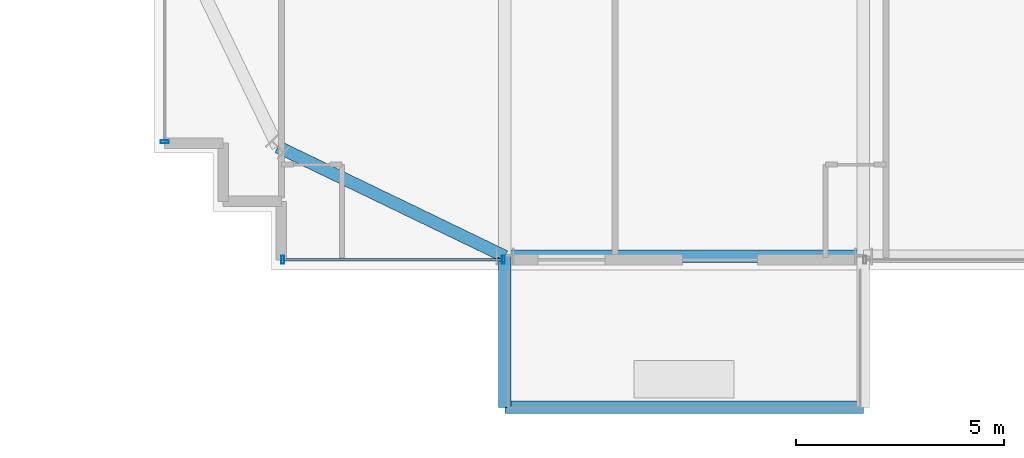
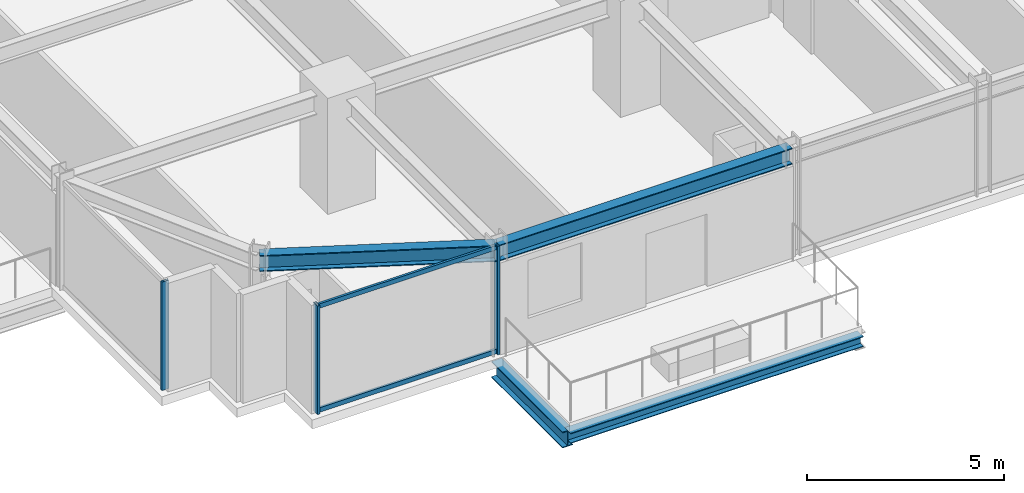
# One storey, part 3 of 37: 5 members, 4 beams, 2 elements without a shape of their own.
"""IFC4 building model written with IfcOpenShell, lengths in metres."""

from ifc_helpers import new_model, si_unit, direction, frame, origin, origin_2d, place, context, subcontext, project, spatial, hollow_rectangle, i_section, extrude, source, transform, mapped, material, material_profile, profile_set, type_object, element, aggregate, save


model = new_model("IFC4")

# Units and contexts
model_context = context("Model", 3, precision=1e-05, world=origin(), true_north=direction((0.0, 1.0)))
body_context = subcontext(model_context, "Body", "Model", "MODEL_VIEW")
ifc_project = project(units=[si_unit("LENGTHUNIT", "METRE"), si_unit("AREAUNIT", "SQUARE_METRE"), si_unit("VOLUMEUNIT", "CUBIC_METRE"), si_unit("PLANEANGLEUNIT", "RADIAN"), si_unit("MASSUNIT", "GRAM", prefix="KILO")], contexts=[model_context])

# Site, building, storey
site_placement = place(None, origin())
site = spatial("IfcSite", under=ifc_project, at=site_placement, CompositionType="ELEMENT")
building_placement = place(site_placement, origin())
building = spatial("IfcBuilding", under=site, at=building_placement, Name="Nahalor Promenade Grand Hotel", CompositionType="ELEMENT")
storey_placement = place(building_placement, frame((0.0, 0.0, 65.25)))
storey = spatial("IfcBuildingStorey", under=building, at=storey_placement, Name="L15", CompositionType="ELEMENT", Elevation=65.25)

# Beams
ifc_material_1 = material(Name="Steel S355JR", Category="steel")
ifc_material_profile_1 = material_profile(ifc_material_1, i_section(OverallWidth=0.3, OverallDepth=0.32, WebThickness=0.0115, FlangeThickness=0.0205, at=origin_2d()), Name="HEB 320")
ifc_profile_set_1 = profile_set([ifc_material_profile_1], Name="Steel S355JR")
beam_type_1 = type_object("IfcBeamType", Name="Beam-BalcEdge-HEB320", PredefinedType="SPANDREL", material=ifc_profile_set_1)
shared_shape_1 = source(origin(), body_context, "Body", "SweptSolid", [
    extrude(i_section(OverallWidth=0.3, OverallDepth=0.32, WebThickness=0.0115, FlangeThickness=0.0205, at=origin_2d()), origin(), (0.0, 0.0, 1.0), 8.60009765625),
])
beam_1_placement = place(storey_placement, frame((-17.0, -28.699951171875, -0.43994140625), z_axis=(1.0, 0.0, 0.0), x_axis=(0.0, 1.0, 0.0)))
element("IfcBeam", 1, at=beam_1_placement, inside=storey, type_object=beam_type_1, Name="BM-L15-BC-01-F", PredefinedType="SPANDREL", context=body_context, shape_type="MappedRepresentation", body=[
    mapped(shared_shape_1, transform((0.0, 0.0, 0.0), scale=1.0)),
])
ifc_material_profile_2 = material_profile(ifc_material_1, i_section(OverallWidth=0.3, OverallDepth=0.5, WebThickness=0.0145, FlangeThickness=0.028, at=origin_2d()), Name="HEB 500")
ifc_profile_set_2 = profile_set([ifc_material_profile_2], Name="Steel S355JR")
beam_type_2 = type_object("IfcBeamType", Name="Beam-Outrigger-HEB500", PredefinedType="BEAM", material=ifc_profile_set_2)
shared_shape_2 = source(origin(), body_context, "Body", "SweptSolid", [
    extrude(i_section(OverallWidth=0.3, OverallDepth=0.5, WebThickness=0.0145, FlangeThickness=0.028, at=origin_2d()), origin(), (0.0, 0.0, 1.0), 3.619873046875),
])
beam_2_placement = place(storey_placement, frame((-17.0, -28.699951171875, -0.530029296875), z_axis=(0.0, 1.0, 0.0), x_axis=(-1.0, 0.0, 0.0)))
element("IfcBeam", 2, at=beam_2_placement, inside=storey, type_object=beam_type_2, Name="BM-L15-BC-01-1", PredefinedType="BEAM", context=body_context, shape_type="MappedRepresentation", body=[
    mapped(shared_shape_2, transform((0.0, 0.0, 0.0), scale=1.0)),
])
ifc_material_profile_3 = material_profile(ifc_material_1, i_section(OverallWidth=0.3, OverallDepth=0.5, WebThickness=0.0145, FlangeThickness=0.028, at=origin_2d()), Name="HEB 500")
ifc_profile_set_3 = profile_set([ifc_material_profile_3], Name="Steel S355JR")
beam_type_3 = type_object("IfcBeamType", Name="Beam-Spandrel-HEB500", PredefinedType="SPANDREL", material=ifc_profile_set_3)
shared_shape_3 = source(origin(), body_context, "Body", "SweptSolid", [
    extrude(i_section(OverallWidth=0.3, OverallDepth=0.5, WebThickness=0.0145, FlangeThickness=0.028, at=origin_2d()), origin(), (0.0, 0.0, 1.0), 8.60009765625),
])
beam_3_placement = place(storey_placement, frame((-17.0, -25.080078125, 3.1201171875), z_axis=(1.0, 0.0, 0.0), x_axis=(0.0, 1.0, 0.0)))
element("IfcBeam", 3, at=beam_3_placement, inside=storey, type_object=beam_type_3, Name="BM-L15-SP-S-0", PredefinedType="SPANDREL", context=body_context, shape_type="MappedRepresentation", body=[
    mapped(shared_shape_3, transform((0.0, 0.0, 0.0), scale=1.0)),
])
shared_shape_4 = source(origin(), body_context, "Body", "SweptSolid", [
    extrude(i_section(OverallWidth=0.3, OverallDepth=0.5, WebThickness=0.0145, FlangeThickness=0.028, at=origin_2d()), origin(), (0.0, 0.0, 1.0), 6.051513671875),
])
beam_4_placement = place(storey_placement, frame((-17.0, -25.080078125, 3.1201171875), z_axis=(-0.900608818852, 0.434630596492, 0.0), x_axis=(-0.434630596492, -0.900608818852, 0.0)))
element("IfcBeam", 4, at=beam_4_placement, inside=storey, type_object=beam_type_3, Name="BM-L15-SPC-SW-1", PredefinedType="SPANDREL", context=body_context, shape_type="MappedRepresentation", body=[
    mapped(shared_shape_4, transform((0.0, 0.0, 0.0), scale=1.0)),
])

# Curtain wall, members
ifc_material_2 = material(Name="Anodised Bronze Aluminium EN AW-6063 T6", Category="aluminium")
curtain_wall_type = type_object("IfcCurtainWallType", Name="CW3 Elliptical-Void Collar Unitised Curtain Wall", PredefinedType="USERDEFINED", material=ifc_material_2)
curtain_wall_1_placement = place(storey_placement, origin())
curtain_wall_1 = element("IfcCurtainWall", 5, at=curtain_wall_1_placement, inside=storey, type_object=curtain_wall_type, Name="L15 Curtain Wall CW-L15-S-1", ObjectType="UNITISED_CURTAIN_WALL", PredefinedType="USERDEFINED")
ifc_material_profile_4 = material_profile(ifc_material_2, hollow_rectangle(XDim=0.07, YDim=0.14, WallThickness=0.004, at=origin_2d()), Name="CWT 70x140x4")
ifc_profile_set_4 = profile_set([ifc_material_profile_4], Name="Anodised Bronze Aluminium EN AW-6063 T6")
member_type_1 = type_object("IfcMemberType", Name="CWT3 Void Collar Transom 70x140", PredefinedType="USERDEFINED", material=ifc_profile_set_4)
shared_shape_5 = source(origin(), body_context, "Body", "SweptSolid", [
    extrude(hollow_rectangle(XDim=0.07, YDim=0.14, WallThickness=0.004, at=origin_2d()), origin(), (0.0, 0.0, 1.0), 5.219970703125),
])
member_1_placement = place(storey_placement, frame((-22.2900390625, -25.159912109375, 0.070068359375), z_axis=(1.0, 0.0, 0.0), x_axis=(0.0, 1.0, 0.0)))
member_1 = element("IfcMember", 6, at=member_1_placement, type_object=member_type_1, Name="CW-L15-S-1 Transom 0-0", ObjectType="TRANSOM", PredefinedType="USERDEFINED", context=body_context, shape_type="MappedRepresentation", body=[
    mapped(shared_shape_5, transform((0.0, 0.0, 0.0), scale=1.0)),
])
member_2_placement = place(storey_placement, frame((-22.2900390625, -25.159912109375, 3.300048828125), z_axis=(1.0, 0.0, 0.0), x_axis=(0.0, 1.0, 0.0)))
member_2 = element("IfcMember", 7, at=member_2_placement, type_object=member_type_1, Name="CW-L15-S-1 Transom 0-1", ObjectType="TRANSOM", PredefinedType="USERDEFINED", context=body_context, shape_type="MappedRepresentation", body=[
    mapped(shared_shape_5, transform((0.0, 0.0, 0.0), scale=1.0)),
])
ifc_material_profile_5 = material_profile(ifc_material_2, hollow_rectangle(XDim=0.07, YDim=0.2, WallThickness=0.005, at=origin_2d()), Name="CWM 70x200x5")
ifc_profile_set_5 = profile_set([ifc_material_profile_5], Name="Anodised Bronze Aluminium EN AW-6063 T6")
member_type_2 = type_object("IfcMemberType", Name="CWM3 Void Collar Mullion 70x200", PredefinedType="MULLION", material=ifc_profile_set_5)
shared_shape_6 = source(origin(), body_context, "Body", "SweptSolid", [
    extrude(hollow_rectangle(XDim=0.07, YDim=0.2, WallThickness=0.005, at=origin_2d()), origin(), (0.0, 0.0, 1.0), 3.3701171875),
])
member_3_placement = place(storey_placement, frame((-22.324951171875, -25.159912109375, 0.0), z_axis=(0.0, 0.0, 1.0), x_axis=(1.0, 0.0, 0.0)))
member_3 = element("IfcMember", 8, at=member_3_placement, type_object=member_type_2, Name="CW-L15-S-1 Mullion 0", PredefinedType="MULLION", context=body_context, shape_type="MappedRepresentation", body=[
    mapped(shared_shape_6, transform((0.0, 0.0, 0.0), scale=1.0)),
])
member_4_placement = place(storey_placement, frame((-17.034912109375, -25.159912109375, 0.0), z_axis=(0.0, 0.0, 1.0), x_axis=(1.0, 0.0, 0.0)))
member_4 = element("IfcMember", 9, at=member_4_placement, type_object=member_type_2, Name="CW-L15-S-1 Mullion 1", PredefinedType="MULLION", context=body_context, shape_type="MappedRepresentation", body=[
    mapped(shared_shape_6, transform((0.0, 0.0, 0.0), scale=1.0)),
])
aggregate(curtain_wall_1, [member_3, member_4, member_1, member_2])

# Curtain wall, member
curtain_wall_2_placement = place(storey_placement, origin())
curtain_wall_2 = element("IfcCurtainWall", 10, at=curtain_wall_2_placement, inside=storey, type_object=curtain_wall_type, Name="L15 Curtain Wall CW-L15-W-1", ObjectType="UNITISED_CURTAIN_WALL", PredefinedType="USERDEFINED")
member_5_placement = place(storey_placement, frame((-25.159912109375, -22.324951171875, 0.0), z_axis=(0.0, 0.0, 1.0), x_axis=(0.0, 1.0, 0.0)))
member_5 = element("IfcMember", 11, at=member_5_placement, type_object=member_type_2, Name="CW-L15-W-1 Mullion 0", PredefinedType="MULLION", context=body_context, shape_type="MappedRepresentation", body=[
    mapped(shared_shape_6, transform((0.0, 0.0, 0.0), scale=1.0)),
])
aggregate(curtain_wall_2, [member_5])

save(model, "model.ifc")
